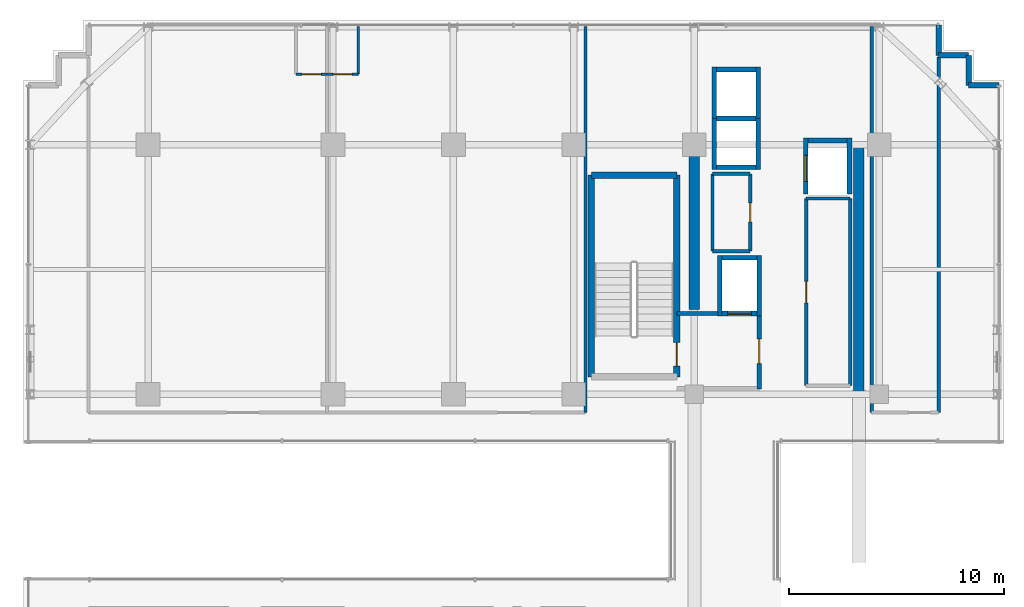
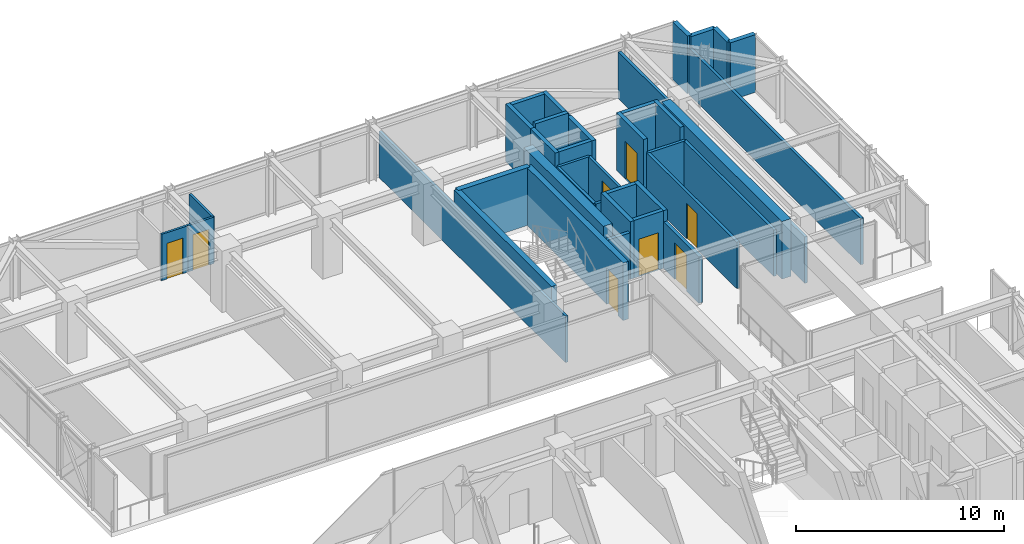
# One storey, part 31 of 36: 38 walls, 8 doors, 8 openings.
"""IFC4 building model written with IfcOpenShell, lengths in metres."""

from ifc_helpers import new_model, si_unit, direction, frame, frame_2d, origin, place, context, subcontext, project, spatial, rectangle, extrude, source, transform, mapped, material, layer, layer_set, type_object, element, fill, save


model = new_model("IFC4")

# Units and contexts
model_context = context("Model", 3, precision=1e-05, world=origin(), true_north=direction((0.0, 1.0)))
body_context = subcontext(model_context, "Body", "Model", "MODEL_VIEW")
ifc_project = project(units=[si_unit("LENGTHUNIT", "METRE"), si_unit("AREAUNIT", "SQUARE_METRE"), si_unit("VOLUMEUNIT", "CUBIC_METRE"), si_unit("PLANEANGLEUNIT", "RADIAN"), si_unit("MASSUNIT", "GRAM", prefix="KILO")], contexts=[model_context])

# Site, building, storey
site_placement = place(None, origin())
site = spatial("IfcSite", under=ifc_project, at=site_placement, CompositionType="ELEMENT")
building_placement = place(site_placement, origin())
building = spatial("IfcBuilding", under=site, at=building_placement, Name="Nahalor Promenade Grand Hotel", CompositionType="ELEMENT")
storey_placement = place(building_placement, frame((0.0, 0.0, 170.89990234375)))
storey = spatial("IfcBuildingStorey", under=building, at=storey_placement, Name="L43", CompositionType="ELEMENT", Elevation=170.89990234375)

# Walls
ifc_material_1 = material(Name="Concrete B-60 (C50/60)", Category="concrete")
ifc_layer_1 = layer(ifc_material_1, 0.5)
ifc_layer_set_1 = layer_set([ifc_layer_1], Name="Concrete B-60 (C50/60)")
wall_type_1 = type_object("IfcWallType", Name="Wall-CoreShear-500", PredefinedType="SHEAR", material=ifc_layer_set_1)
shared_shape_1 = source(origin(), body_context, "Body", "SweptSolid", [
    extrude(rectangle(XDim=7.64990234375, YDim=0.5, at=frame_2d((3.824951171875, 0.0))), origin(), (0.0, 0.0, 1.0), 3.39013671875),
])
wall_1_placement = place(storey_placement, frame((8.39990234375, 9.35009765625, 0.0), z_axis=(0.0, 0.0, 1.0), x_axis=(0.0, 1.0, 0.0)))
element("IfcWall", 1, at=wall_1_placement, inside=storey, type_object=wall_type_1, Name="CWALL-L43-NW", PredefinedType="SHEAR", context=body_context, shape_type="MappedRepresentation", body=[
    mapped(shared_shape_1, transform((0.0, 0.0, 0.0), scale=1.0)),
])
shared_shape_2 = source(origin(), body_context, "Body", "SweptSolid", [
    extrude(rectangle(XDim=11.60009765625, YDim=0.5, at=frame_2d((5.800048828125, 0.0))), origin(), (0.0, 0.0, 1.0), 3.39013671875),
])
wall_2_placement = place(storey_placement, frame((16.050048828125, 5.39990234375, 0.0), z_axis=(0.0, 0.0, 1.0), x_axis=(0.0, 1.0, 0.0)))
element("IfcWall", 2, at=wall_2_placement, inside=storey, type_object=wall_type_1, Name="CWALL-L43-NE", PredefinedType="SHEAR", context=body_context, shape_type="MappedRepresentation", body=[
    mapped(shared_shape_2, transform((0.0, 0.0, 0.0), scale=1.0)),
])
ifc_material_2 = material(Name="Concrete B-50 (C40/50)", Category="concrete")
ifc_layer_2 = layer(ifc_material_2, 0.300048828125)
ifc_layer_set_2 = layer_set([ifc_layer_2], Name="Concrete B-50 (C40/50)")
wall_type_2 = type_object("IfcWallType", Name="Wall-ShaftShear-300", PredefinedType="SHEAR", material=ifc_layer_set_2)
shared_shape_3 = source(origin(), body_context, "Body", "SweptSolid", [
    extrude(rectangle(XDim=3.97998046875, YDim=0.300048828125, at=frame_2d((1.989990234375, 0.0))), origin(), (0.0, 0.0, 1.0), 3.39013671875),
])
wall_3_placement = place(storey_placement, frame((3.610107421875, 15.590087890625, 0.0), z_axis=(0.0, 0.0, 1.0), x_axis=(1.0, 0.0, 0.0)))
element("IfcWall", 3, at=wall_3_placement, inside=storey, type_object=wall_type_2, Name="L43 Exit Stair ST1 Shaft Wall N", PredefinedType="SHEAR", context=body_context, shape_type="MappedRepresentation", body=[
    mapped(shared_shape_3, transform((0.0, 0.0, 0.0), scale=1.0)),
])
shared_shape_4 = source(origin(), body_context, "Body", "SweptSolid", [
    extrude(rectangle(XDim=9.380126953125, YDim=0.300048828125, at=frame_2d((4.68994140625, 0.0))), origin(), (0.0, 0.0, 1.0), 3.39013671875),
])
wall_4_placement = place(storey_placement, frame((3.610107421875, 6.2099609375, 0.0), z_axis=(0.0, 0.0, 1.0), x_axis=(0.0, 1.0, 0.0)))
element("IfcWall", 4, at=wall_4_placement, inside=storey, type_object=wall_type_2, Name="L43 Exit Stair ST1 Shaft Wall W", PredefinedType="SHEAR", context=body_context, shape_type="MappedRepresentation", body=[
    mapped(shared_shape_4, transform((0.0, 0.0, 0.0), scale=1.0)),
])

# Wall, opening, door
wall_5_placement = place(storey_placement, frame((7.590087890625, 6.2099609375, 0.0), z_axis=(0.0, 0.0, 1.0), x_axis=(0.0, 1.0, 0.0)))
wall_5 = element("IfcWall", 5, at=wall_5_placement, inside=storey, type_object=wall_type_2, Name="L43 Exit Stair ST1 Shaft Wall E", PredefinedType="SHEAR", context=body_context, shape_type="MappedRepresentation", body=[
    mapped(shared_shape_4, transform((0.0, 0.0, 0.0), scale=1.0)),
])
opening_1_placement = place(wall_5_placement, frame((0.489990234375, 0.0, 0.0)))
opening_1 = element("IfcOpeningElement", 6, at=opening_1_placement, cuts=wall_5, Name="Opening D-ST1", PredefinedType="OPENING", context=body_context, shape_type="SweptSolid", body=[
    extrude(rectangle(XDim=1.10009765625, YDim=2.14990234375, at=frame_2d((0.550048828125, 1.074951171875))), frame((0.0, 0.159912109375, 0.0), z_axis=(0.0, -1.0, 0.0), x_axis=(1.0, 0.0, 0.0)), (0.0, 0.0, 1.0), 0.320068359375),
])
ifc_material_3 = material(Name="Steel S355JR", Category="steel")
door_type_1 = type_object("IfcDoorType", Name="Door-StairFire-1100", OperationType="NOTDEFINED", PredefinedType="DOOR", material=ifc_material_3)
shared_shape_5 = source(origin(), body_context, "Body", "SweptSolid", [
    extrude(rectangle(XDim=1.10009765625, YDim=2.14990234375, at=frame_2d((0.550048828125, 1.074951171875))), frame((0.0, 0.02490234375, 0.0), z_axis=(0.0, -1.0, 0.0), x_axis=(1.0, 0.0, 0.0)), (0.0, 0.0, 1.0), 0.050048828125),
])
door_1_placement = place(opening_1_placement, origin())
door_1 = element("IfcDoor", 7, at=door_1_placement, inside=storey, type_object=door_type_1, Name="DR-STAIR-ST1-L43", OperationType="SINGLE_SWING_RIGHT", OverallHeight=2.14990234375, OverallWidth=1.10009765625, PredefinedType="DOOR", context=body_context, shape_type="MappedRepresentation", body=[
    mapped(shared_shape_5, transform((0.0, 0.0, 0.0), scale=1.0)),
])
fill(opening_1, door_1)

# Walls
ifc_layer_3 = layer(ifc_material_2, 0.219970703125)
ifc_layer_set_3 = layer_set([ifc_layer_3], Name="Concrete B-50 (C40/50)")
wall_type_3 = type_object("IfcWallType", Name="Wall-LiftShaft-220", PredefinedType="SHEAR", material=ifc_layer_set_3)
shared_shape_6 = source(origin(), body_context, "Body", "SweptSolid", [
    extrude(rectangle(XDim=1.820068359375, YDim=0.219970703125, at=frame_2d((0.91015625, 0.0))), origin(), (0.0, 0.0, 1.0), 3.650146484375),
])
wall_6_placement = place(storey_placement, frame((9.43994140625, 18.22509765625, 0.0), z_axis=(0.0, 0.0, 1.0), x_axis=(1.0, 0.0, 0.0)))
element("IfcWall", 8, at=wall_6_placement, inside=storey, type_object=wall_type_3, Name="L43 Lift OB1 Hoistway Wall N", PredefinedType="SHEAR", context=body_context, shape_type="MappedRepresentation", body=[
    mapped(shared_shape_6, transform((0.0, 0.0, 0.0), scale=1.0)),
])
shared_shape_7 = source(origin(), body_context, "Body", "SweptSolid", [
    extrude(rectangle(XDim=1.820068359375, YDim=0.219970703125, at=frame_2d((0.91015625, 0.0))), origin(), (0.0, 0.0, 1.0), 3.39013671875),
])
for number, where, z_axis, x_axis, name in (
    (9, (9.43994140625, 15.949951171875, 0.0), (0.0, 0.0, 1.0), (1.0, 0.0, 0.0), "L43 Lift OB1 Hoistway Wall S"),
    (10, (9.43994140625, 20.5, 0.0), (0.0, 0.0, 1.0), (1.0, 0.0, 0.0), "L43 Lift OB2 Hoistway Wall N"),
    (11, (13.68994140625, 17.199951171875, 0.0), (0.0, 0.0, 1.0), (1.0, 0.0, 0.0), "L43 Lift SV1 Hoistway Wall N"),
):
    element("IfcWall", number, at=place(storey_placement, frame(where, z_axis=z_axis, x_axis=x_axis)), inside=storey, type_object=wall_type_3, Name=name, PredefinedType="SHEAR", context=body_context, shape_type="MappedRepresentation", body=[
        mapped(shared_shape_7, transform((0.0, 0.0, 0.0), scale=1.0)),
    ])
shared_shape_8 = source(origin(), body_context, "Body", "SweptSolid", [
    extrude(rectangle(XDim=2.385009765625, YDim=0.219970703125, at=frame_2d((1.1923828125, 0.0))), origin(), (0.0, 0.0, 1.0), 3.39013671875),
])
for number, where, z_axis, x_axis, name in (
    (12, (9.330078125, 15.840087890625, 0.0), (0.0, 0.0, 1.0), (0.0, 1.0, 0.0), "L43 Lift OB1 Hoistway Wall W"),
    (13, (11.3701171875, 15.840087890625, 0.0), (0.0, 0.0, 1.0), (0.0, 1.0, 0.0), "L43 Lift OB1 Hoistway Wall E"),
    (14, (9.330078125, 18.22509765625, 0.0), (0.0, 0.0, 1.0), (0.0, 1.0, 0.0), "L43 Lift OB2 Hoistway Wall W"),
    (15, (11.3701171875, 18.22509765625, 0.0), (0.0, 0.0, 1.0), (0.0, 1.0, 0.0), "L43 Lift OB2 Hoistway Wall E"),
):
    element("IfcWall", number, at=place(storey_placement, frame(where, z_axis=z_axis, x_axis=x_axis)), inside=storey, type_object=wall_type_3, Name=name, PredefinedType="SHEAR", context=body_context, shape_type="MappedRepresentation", body=[
        mapped(shared_shape_8, transform((0.0, 0.0, 0.0), scale=1.0)),
    ])
shared_shape_9 = source(origin(), body_context, "Body", "SweptSolid", [
    extrude(rectangle(XDim=2.820068359375, YDim=0.219970703125, at=frame_2d((1.41015625, 0.0))), origin(), (0.0, 0.0, 1.0), 3.39013671875),
])
for number, where, z_axis, x_axis, name in (
    (16, (9.580078125, 9.0400390625, 0.0), (0.0, 0.0, 1.0), (0.0, 1.0, 0.0), "L43 Lift FL1 Hoistway Wall W"),
    (17, (11.419921875, 9.0400390625, 0.0), (0.0, 0.0, 1.0), (0.0, 1.0, 0.0), "L43 Lift FL1 Hoistway Wall E"),
):
    element("IfcWall", number, at=place(storey_placement, frame(where, z_axis=z_axis, x_axis=x_axis)), inside=storey, type_object=wall_type_3, Name=name, PredefinedType="SHEAR", context=body_context, shape_type="MappedRepresentation", body=[
        mapped(shared_shape_9, transform((0.0, 0.0, 0.0), scale=1.0)),
    ])

# Wall, opening, door
shared_shape_10 = source(origin(), body_context, "Body", "SweptSolid", [
    extrude(rectangle(XDim=1.6201171875, YDim=0.219970703125, at=frame_2d((0.81005859375, 0.0))), origin(), (0.0, 0.0, 1.0), 3.39013671875),
])
wall_7_placement = place(storey_placement, frame((9.68994140625, 9.14990234375, 0.0), z_axis=(0.0, 0.0, 1.0), x_axis=(1.0, 0.0, 0.0)))
wall_7 = element("IfcWall", 18, at=wall_7_placement, inside=storey, type_object=wall_type_3, Name="L43 Lift FL1 Hoistway Wall S", PredefinedType="SHEAR", context=body_context, shape_type="MappedRepresentation", body=[
    mapped(shared_shape_10, transform((0.0, 0.0, 0.0), scale=1.0)),
])
opening_2_placement = place(wall_7_placement, frame((0.260009765625, 0.0, 0.0)))
opening_2 = element("IfcOpeningElement", 19, at=opening_2_placement, cuts=wall_7, Name="Opening LD-02", PredefinedType="OPENING", context=body_context, shape_type="SweptSolid", body=[
    extrude(rectangle(XDim=1.10009765625, YDim=2.199951171875, at=frame_2d((0.550048828125, 1.10009765625))), frame((0.0, 0.119873046875, 0.0), z_axis=(0.0, -1.0, 0.0), x_axis=(1.0, 0.0, 0.0)), (0.0, 0.0, 1.0), 0.239990234375),
])
door_type_2 = type_object("IfcDoorType", Name="Door-LiftFF-1100", OperationType="DOUBLE_DOOR_SLIDING", PredefinedType="DOOR", material=ifc_material_3)
shared_shape_11 = source(origin(), body_context, "Body", "SweptSolid", [
    extrude(rectangle(XDim=1.10009765625, YDim=2.199951171875, at=frame_2d((0.550048828125, 1.10009765625))), frame((0.0, 0.02490234375, 0.0), z_axis=(0.0, -1.0, 0.0), x_axis=(1.0, 0.0, 0.0)), (0.0, 0.0, 1.0), 0.050048828125),
])
door_2_placement = place(opening_2_placement, frame((1.10009765625, 0.0, 0.0), z_axis=(0.0, 0.0, 1.0), x_axis=(-1.0, 0.0, 0.0)))
door_2 = element("IfcDoor", 20, at=door_2_placement, inside=storey, type_object=door_type_2, Name="DR-LIFT-FL1-L43", OperationType="DOUBLE_DOOR_SLIDING", OverallHeight=2.199951171875, OverallWidth=1.10009765625, PredefinedType="DOOR", context=body_context, shape_type="MappedRepresentation", body=[
    mapped(shared_shape_11, transform((0.0, 0.0, 0.0), scale=1.0)),
])
fill(opening_2, door_2)

# Wall
wall_8_placement = place(storey_placement, frame((9.68994140625, 11.75, 0.0), z_axis=(0.0, 0.0, 1.0), x_axis=(1.0, 0.0, 0.0)))
element("IfcWall", 21, at=wall_8_placement, inside=storey, type_object=wall_type_3, Name="L43 Lift FL1 Hoistway Wall N", PredefinedType="SHEAR", context=body_context, shape_type="MappedRepresentation", body=[
    mapped(shared_shape_10, transform((0.0, 0.0, 0.0), scale=1.0)),
])

# Wall, opening, door
shared_shape_12 = source(origin(), body_context, "Body", "SweptSolid", [
    extrude(rectangle(XDim=2.610107421875, YDim=0.219970703125, at=frame_2d((1.30517578125, 0.0))), origin(), (0.0, 0.0, 1.0), 3.39013671875),
])
wall_9_placement = place(storey_placement, frame((13.580078125, 14.699951171875, 0.0), z_axis=(0.0, 0.0, 1.0), x_axis=(0.0, 1.0, 0.0)))
wall_9 = element("IfcWall", 22, at=wall_9_placement, inside=storey, type_object=wall_type_3, Name="L43 Lift SV1 Hoistway Wall W", PredefinedType="SHEAR", context=body_context, shape_type="MappedRepresentation", body=[
    mapped(shared_shape_12, transform((0.0, 0.0, 0.0), scale=1.0)),
])
opening_3_placement = place(wall_9_placement, frame((0.60009765625, 0.0, 0.0)))
opening_3 = element("IfcOpeningElement", 23, at=opening_3_placement, cuts=wall_9, Name="Opening LD-03", PredefinedType="OPENING", context=body_context, shape_type="SweptSolid", body=[
    extrude(rectangle(XDim=1.199951171875, YDim=2.199951171875, at=frame_2d((0.60009765625, 1.10009765625))), frame((0.0, 0.119873046875, 0.0), z_axis=(0.0, -1.0, 0.0), x_axis=(1.0, 0.0, 0.0)), (0.0, 0.0, 1.0), 0.239990234375),
])
door_type_3 = type_object("IfcDoorType", Name="Door-LiftService-1200", OperationType="DOUBLE_DOOR_SLIDING", PredefinedType="DOOR", material=ifc_material_3)
shared_shape_13 = source(origin(), body_context, "Body", "SweptSolid", [
    extrude(rectangle(XDim=1.199951171875, YDim=2.199951171875, at=frame_2d((0.60009765625, 1.10009765625))), frame((0.0, 0.02490234375, 0.0), z_axis=(0.0, -1.0, 0.0), x_axis=(1.0, 0.0, 0.0)), (0.0, 0.0, 1.0), 0.050048828125),
])
door_3_placement = place(opening_3_placement, origin())
door_3 = element("IfcDoor", 24, at=door_3_placement, inside=storey, type_object=door_type_3, Name="DR-LIFT-SV1-L43", OperationType="DOUBLE_DOOR_SLIDING", OverallHeight=2.199951171875, OverallWidth=1.199951171875, PredefinedType="DOOR", context=body_context, shape_type="MappedRepresentation", body=[
    mapped(shared_shape_13, transform((0.0, 0.0, 0.0), scale=1.0)),
])
fill(opening_3, door_3)

# Walls
wall_10_placement = place(storey_placement, frame((15.6201171875, 14.699951171875, 0.0), z_axis=(0.0, 0.0, 1.0), x_axis=(0.0, 1.0, 0.0)))
element("IfcWall", 25, at=wall_10_placement, inside=storey, type_object=wall_type_3, Name="L43 Lift SV1 Hoistway Wall E", PredefinedType="SHEAR", context=body_context, shape_type="MappedRepresentation", body=[
    mapped(shared_shape_12, transform((0.0, 0.0, 0.0), scale=1.0)),
])
ifc_material_4 = material(Name="Concrete B-40 (C32/40)", Category="concrete")
ifc_layer_4 = layer(ifc_material_4, 0.25)
ifc_layer_set_4 = layer_set([ifc_layer_4], Name="Concrete B-40 (C32/40)")
wall_type_4 = type_object("IfcWallType", Name="Wall-BronzePier-250", PredefinedType="STANDARD", material=ifc_layer_set_4)
shared_shape_14 = source(origin(), body_context, "Body", "SweptSolid", [
    extrude(rectangle(XDim=1.400146484375, YDim=0.25, at=frame_2d((0.7001953125, 0.0))), origin(), (0.0, 0.0, 1.0), 3.39013671875),
])
for number, where, z_axis, x_axis, name in (
    (26, (21.159912109375, 19.760009765625, 0.0), (0.0, 0.0, 1.0), (1.0, 0.0, 0.0), "W-L43-SR-05"),
    (27, (19.760009765625, 21.159912109375, 0.0), (0.0, 0.0, 1.0), (0.0, 1.0, 0.0), "W-L43-SR-08"),
):
    element("IfcWall", number, at=place(storey_placement, frame(where, z_axis=z_axis, x_axis=x_axis)), inside=storey, type_object=wall_type_4, Name=name, PredefinedType="STANDARD", context=body_context, shape_type="MappedRepresentation", body=[
        mapped(shared_shape_14, transform((0.0, 0.0, 0.0), scale=1.0)),
    ])
shared_shape_15 = source(origin(), body_context, "Body", "SweptSolid", [
    extrude(rectangle(XDim=1.39990234375, YDim=0.25, at=frame_2d((0.699951171875, 0.0))), origin(), (0.0, 0.0, 1.0), 3.39013671875),
])
for number, where, z_axis, x_axis, name in (
    (28, (21.159912109375, 19.760009765625, 0.0), (0.0, 0.0, 1.0), (0.0, 1.0, 0.0), "W-L43-SR-06"),
    (29, (19.760009765625, 21.159912109375, 0.0), (0.0, 0.0, 1.0), (1.0, 0.0, 0.0), "W-L43-SR-07"),
):
    element("IfcWall", number, at=place(storey_placement, frame(where, z_axis=z_axis, x_axis=x_axis)), inside=storey, type_object=wall_type_4, Name=name, PredefinedType="STANDARD", context=body_context, shape_type="MappedRepresentation", body=[
        mapped(shared_shape_15, transform((0.0, 0.0, 0.0), scale=1.0)),
    ])
ifc_layer_5 = layer(ifc_material_4, 0.199951171875)
ifc_layer_set_5 = layer_set([ifc_layer_5], Name="Concrete B-40 (C32/40)")
wall_type_5 = type_object("IfcWallType", Name="Wall-PartFire-200", PredefinedType="PARTITIONING", material=ifc_layer_set_5)
shared_shape_16 = source(origin(), body_context, "Body", "SweptSolid", [
    extrude(rectangle(XDim=1.89990234375, YDim=0.199951171875, at=frame_2d((0.949951171875, 0.0))), origin(), (0.0, 0.0, 1.0), 2.72998046875),
])
wall_11_placement = place(storey_placement, frame((7.60009765625, 9.14990234375, 0.0), z_axis=(0.0, 0.0, 1.0), x_axis=(1.0, 0.0, 0.0)))
element("IfcWall", 30, at=wall_11_placement, inside=storey, type_object=wall_type_5, Name="W-L43-FF1-N", PredefinedType="PARTITIONING", context=body_context, shape_type="MappedRepresentation", body=[
    mapped(shared_shape_16, transform((0.0, 0.0, 0.0), scale=1.0)),
])

# Wall, opening, door
shared_shape_17 = source(origin(), body_context, "Body", "SweptSolid", [
    extrude(rectangle(XDim=3.5, YDim=0.199951171875, at=frame_2d((1.75, 0.0))), origin(), (0.0, 0.0, 1.0), 2.72998046875),
])
wall_12_placement = place(storey_placement, frame((11.419921875, 5.64990234375, 0.0), z_axis=(0.0, 0.0, 1.0), x_axis=(0.0, 1.0, 0.0)))
wall_12 = element("IfcWall", 31, at=wall_12_placement, inside=storey, type_object=wall_type_5, Name="W-L43-FF1-E", PredefinedType="PARTITIONING", context=body_context, shape_type="MappedRepresentation", body=[
    mapped(shared_shape_17, transform((0.0, 0.0, 0.0), scale=1.0)),
])
opening_4_placement = place(wall_12_placement, frame((1.175048828125, 0.0, 0.0)))
opening_4 = element("IfcOpeningElement", 32, at=opening_4_placement, cuts=wall_12, Name="Opening D-FF1", PredefinedType="OPENING", context=body_context, shape_type="SweptSolid", body=[
    extrude(rectangle(XDim=1.14990234375, YDim=2.14990234375, at=frame_2d((0.574951171875, 1.074951171875))), frame((0.0, 0.10986328125, 0.0), z_axis=(0.0, -1.0, 0.0), x_axis=(1.0, 0.0, 0.0)), (0.0, 0.0, 1.0), 0.219970703125),
])
door_type_4 = type_object("IfcDoorType", Name="Door-FFLobby-1150", OperationType="NOTDEFINED", PredefinedType="DOOR", material=ifc_material_3)
shared_shape_18 = source(origin(), body_context, "Body", "SweptSolid", [
    extrude(rectangle(XDim=1.14990234375, YDim=2.14990234375, at=frame_2d((0.574951171875, 1.074951171875))), frame((0.0, 0.02490234375, 0.0), z_axis=(0.0, -1.0, 0.0), x_axis=(1.0, 0.0, 0.0)), (0.0, 0.0, 1.0), 0.050048828125),
])
door_4_placement = place(opening_4_placement, frame((1.14990234375, 0.0, 0.0), z_axis=(0.0, 0.0, 1.0), x_axis=(-1.0, 0.0, 0.0)))
door_4 = element("IfcDoor", 33, at=door_4_placement, inside=storey, type_object=door_type_4, Name="DR-L43-FFL1", OperationType="SINGLE_SWING_RIGHT", OverallHeight=2.14990234375, OverallWidth=1.14990234375, PredefinedType="DOOR", context=body_context, shape_type="MappedRepresentation", body=[
    mapped(shared_shape_18, transform((0.0, 0.0, 0.0), scale=1.0)),
])
fill(opening_4, door_4)

# Walls
ifc_material_5 = material(Name="Acoustic Mineral Gypsum", Category="gypsum")
ifc_layer_6 = layer(ifc_material_5, 0.14990234375)
ifc_layer_set_6 = layer_set([ifc_layer_6], Name="Acoustic Mineral Gypsum")
wall_type_6 = type_object("IfcWallType", Name="Wall-PartService-150", PredefinedType="PARTITIONING", material=ifc_layer_set_6)
shared_shape_19 = source(origin(), body_context, "Body", "SweptSolid", [
    extrude(rectangle(XDim=1.75, YDim=0.14990234375, at=frame_2d((0.875, 0.0))), origin(), (0.0, 0.0, 1.0), 2.72998046875),
])
for number, where, z_axis, x_axis, name in (
    (34, (9.25, 12.050048828125, 0.0), (0.0, 0.0, 1.0), (1.0, 0.0, 0.0), "W-L43-CK1A-S"),
    (35, (9.25, 15.64990234375, 0.0), (0.0, 0.0, 1.0), (1.0, 0.0, 0.0), "W-L43-CK1A-N"),
):
    element("IfcWall", number, at=place(storey_placement, frame(where, z_axis=z_axis, x_axis=x_axis)), inside=storey, type_object=wall_type_6, Name=name, PredefinedType="PARTITIONING", context=body_context, shape_type="MappedRepresentation", body=[
        mapped(shared_shape_19, transform((0.0, 0.0, 0.0), scale=1.0)),
    ])
shared_shape_20 = source(origin(), body_context, "Body", "SweptSolid", [
    extrude(rectangle(XDim=3.599853515625, YDim=0.14990234375, at=frame_2d((1.7998046875, 0.0))), origin(), (0.0, 0.0, 1.0), 2.72998046875),
])
wall_13_placement = place(storey_placement, frame((9.25, 12.050048828125, 0.0), z_axis=(0.0, 0.0, 1.0), x_axis=(0.0, 1.0, 0.0)))
element("IfcWall", 36, at=wall_13_placement, inside=storey, type_object=wall_type_6, Name="W-L43-CK1A-W", PredefinedType="PARTITIONING", context=body_context, shape_type="MappedRepresentation", body=[
    mapped(shared_shape_20, transform((0.0, 0.0, 0.0), scale=1.0)),
])

# Wall, opening, door
wall_14_placement = place(storey_placement, frame((11.0, 12.050048828125, 0.0), z_axis=(0.0, 0.0, 1.0), x_axis=(0.0, 1.0, 0.0)))
wall_14 = element("IfcWall", 37, at=wall_14_placement, inside=storey, type_object=wall_type_6, Name="W-L43-CK1A-E", PredefinedType="PARTITIONING", context=body_context, shape_type="MappedRepresentation", body=[
    mapped(shared_shape_20, transform((0.0, 0.0, 0.0), scale=1.0)),
])
opening_5_placement = place(wall_14_placement, frame((1.360107421875, 0.0, 0.0)))
opening_5 = element("IfcOpeningElement", 38, at=opening_5_placement, cuts=wall_14, Name="Opening D-03", PredefinedType="OPENING", context=body_context, shape_type="SweptSolid", body=[
    extrude(rectangle(XDim=0.8798828125, YDim=2.10009765625, at=frame_2d((0.43994140625, 1.050048828125))), frame((0.0, 0.0849609375, 0.0), z_axis=(0.0, -1.0, 0.0), x_axis=(1.0, 0.0, 0.0)), (0.0, 0.0, 1.0), 0.169921875),
])
ifc_material_6 = material(Name="Fire-Rated Timber Composite", Category="wood")
door_type_5 = type_object("IfcDoorType", Name="Door-BathSwing-880", OperationType="NOTDEFINED", PredefinedType="DOOR", material=ifc_material_6)
shared_shape_21 = source(origin(), body_context, "Body", "SweptSolid", [
    extrude(rectangle(XDim=0.8798828125, YDim=2.10009765625, at=frame_2d((0.43994140625, 1.050048828125))), frame((0.0, 0.02490234375, 0.0), z_axis=(0.0, -1.0, 0.0), x_axis=(1.0, 0.0, 0.0)), (0.0, 0.0, 1.0), 0.050048828125),
])
door_5_placement = place(opening_5_placement, origin())
door_5 = element("IfcDoor", 39, at=door_5_placement, inside=storey, type_object=door_type_5, Name="DR-L43-CK1A", OperationType="SINGLE_SWING_RIGHT", OverallHeight=2.10009765625, OverallWidth=0.8798828125, PredefinedType="DOOR", context=body_context, shape_type="MappedRepresentation", body=[
    mapped(shared_shape_21, transform((0.0, 0.0, 0.0), scale=1.0)),
])
fill(opening_5, door_5)

# Wall
ifc_layer_7 = layer(ifc_material_5, 0.159912109375)
ifc_layer_set_7 = layer_set([ifc_layer_7], Name="Acoustic Mineral Gypsum")
wall_type_7 = type_object("IfcWallType", Name="Wall-PartCorridor-160", PredefinedType="PARTITIONING", material=ifc_layer_set_7)
shared_shape_22 = source(origin(), body_context, "Body", "SweptSolid", [
    extrude(rectangle(XDim=2.0498046875, YDim=0.159912109375, at=frame_2d((1.02490234375, 0.0))), origin(), (0.0, 0.0, 1.0), 2.72998046875),
])
wall_15_placement = place(storey_placement, frame((13.60009765625, 14.5, 0.0), z_axis=(0.0, 0.0, 1.0), x_axis=(1.0, 0.0, 0.0)))
element("IfcWall", 40, at=wall_15_placement, inside=storey, type_object=wall_type_7, Name="W-L43-FRB1-N", PredefinedType="PARTITIONING", context=body_context, shape_type="MappedRepresentation", body=[
    mapped(shared_shape_22, transform((0.0, 0.0, 0.0), scale=1.0)),
])

# Wall, opening, door
shared_shape_23 = source(origin(), body_context, "Body", "SweptSolid", [
    extrude(rectangle(XDim=8.699951171875, YDim=0.159912109375, at=frame_2d((4.35009765625, 0.0))), origin(), (0.0, 0.0, 1.0), 2.72998046875),
])
wall_16_placement = place(storey_placement, frame((13.60009765625, 5.800048828125, 0.0), z_axis=(0.0, 0.0, 1.0), x_axis=(0.0, 1.0, 0.0)))
wall_16 = element("IfcWall", 41, at=wall_16_placement, inside=storey, type_object=wall_type_7, Name="W-L43-FRB1-W", PredefinedType="PARTITIONING", context=body_context, shape_type="MappedRepresentation", body=[
    mapped(shared_shape_23, transform((0.0, 0.0, 0.0), scale=1.0)),
])
opening_6_placement = place(wall_16_placement, frame((3.85009765625, 0.0, 0.0)))
opening_6 = element("IfcOpeningElement", 42, at=opening_6_placement, cuts=wall_16, Name="Opening D-04", PredefinedType="OPENING", context=body_context, shape_type="SweptSolid", body=[
    extrude(rectangle(XDim=1.0, YDim=2.10009765625, at=frame_2d((0.5, 1.050048828125))), frame((0.0, 0.08984375, 0.0), z_axis=(0.0, -1.0, 0.0), x_axis=(1.0, 0.0, 0.0)), (0.0, 0.0, 1.0), 0.179931640625),
])
door_type_6 = type_object("IfcDoorType", Name="Door-ServiceFire-1000", OperationType="NOTDEFINED", PredefinedType="DOOR", material=ifc_material_3)
shared_shape_24 = source(origin(), body_context, "Body", "SweptSolid", [
    extrude(rectangle(XDim=1.0, YDim=2.10009765625, at=frame_2d((0.5, 1.050048828125))), frame((0.0, 0.02490234375, 0.0), z_axis=(0.0, -1.0, 0.0), x_axis=(1.0, 0.0, 0.0)), (0.0, 0.0, 1.0), 0.050048828125),
])
door_6_placement = place(opening_6_placement, frame((1.0, 0.0, 0.0), z_axis=(0.0, 0.0, 1.0), x_axis=(-1.0, 0.0, 0.0)))
door_6 = element("IfcDoor", 43, at=door_6_placement, inside=storey, type_object=door_type_6, Name="DR-L43-FRB1", OperationType="SINGLE_SWING_LEFT", OverallHeight=2.10009765625, OverallWidth=1.0, PredefinedType="DOOR", context=body_context, shape_type="MappedRepresentation", body=[
    mapped(shared_shape_24, transform((0.0, 0.0, 0.0), scale=1.0)),
])
fill(opening_6, door_6)

# Walls
wall_17_placement = place(storey_placement, frame((15.64990234375, 5.800048828125, 0.0), z_axis=(0.0, 0.0, 1.0), x_axis=(0.0, 1.0, 0.0)))
element("IfcWall", 44, at=wall_17_placement, inside=storey, type_object=wall_type_7, Name="W-L43-FRB1-E", PredefinedType="PARTITIONING", context=body_context, shape_type="MappedRepresentation", body=[
    mapped(shared_shape_23, transform((0.0, 0.0, 0.0), scale=1.0)),
])
shared_shape_25 = source(origin(), body_context, "Body", "SweptSolid", [
    extrude(rectangle(XDim=17.949951171875, YDim=0.159912109375, at=frame_2d((8.97509765625, 0.0))), origin(), (0.0, 0.0, 1.0), 2.72998046875),
])
wall_18_placement = place(storey_placement, frame((16.64990234375, 4.550048828125, 0.0), z_axis=(0.0, 0.0, 1.0), x_axis=(0.0, 1.0, 0.0)))
element("IfcWall", 45, at=wall_18_placement, inside=storey, type_object=wall_type_7, Name="W-L43-ENE-W", PredefinedType="PARTITIONING", context=body_context, shape_type="MappedRepresentation", body=[
    mapped(shared_shape_25, transform((0.0, 0.0, 0.0), scale=1.0)),
])
shared_shape_26 = source(origin(), body_context, "Body", "SweptSolid", [
    extrude(rectangle(XDim=16.530029296875, YDim=0.159912109375, at=frame_2d((8.26513671875, 0.0))), origin(), (0.0, 0.0, 1.0), 2.72998046875),
])
wall_19_placement = place(storey_placement, frame((19.760009765625, 4.550048828125, 0.0), z_axis=(0.0, 0.0, 1.0), x_axis=(0.0, 1.0, 0.0)))
element("IfcWall", 46, at=wall_19_placement, inside=storey, type_object=wall_type_7, Name="W-L43-ENE-E", PredefinedType="PARTITIONING", context=body_context, shape_type="MappedRepresentation", body=[
    mapped(shared_shape_26, transform((0.0, 0.0, 0.0), scale=1.0)),
])

# Wall, opening, door
ifc_layer_8 = layer(ifc_material_5, 0.1201171875)
ifc_layer_set_8 = layer_set([ifc_layer_8], Name="Acoustic Mineral Gypsum")
wall_type_8 = type_object("IfcWallType", Name="Wall-PartBath-120", PredefinedType="PARTITIONING", material=ifc_layer_set_8)
shared_shape_27 = source(origin(), body_context, "Body", "SweptSolid", [
    extrude(rectangle(XDim=1.449951171875, YDim=0.1201171875, at=frame_2d((0.72509765625, 0.0))), origin(), (0.0, 0.0, 1.0), 2.72998046875),
])
wall_20_placement = place(storey_placement, frame((-10.1220703125, 20.280029296875, 0.0), z_axis=(0.0, 0.0, 1.0), x_axis=(1.0, 0.0, 0.0)))
wall_20 = element("IfcWall", 47, at=wall_20_placement, inside=storey, type_object=wall_type_8, Name="W-L43-N1-BH", PredefinedType="PARTITIONING", context=body_context, shape_type="MappedRepresentation", body=[
    mapped(shared_shape_27, transform((0.0, 0.0, 0.0), scale=1.0)),
])
opening_7_placement = place(wall_20_placement, frame((0.284912109375, 0.0, 0.0)))
opening_7 = element("IfcOpeningElement", 48, at=opening_7_placement, cuts=wall_20, Name="Opening D-03", PredefinedType="OPENING", context=body_context, shape_type="SweptSolid", body=[
    extrude(rectangle(XDim=0.8798828125, YDim=2.10009765625, at=frame_2d((0.43994140625, 1.050048828125))), frame((0.0, 0.070068359375, 0.0), z_axis=(0.0, -1.0, 0.0), x_axis=(1.0, 0.0, 0.0)), (0.0, 0.0, 1.0), 0.14013671875),
])
door_7_placement = place(opening_7_placement, origin())
door_7 = element("IfcDoor", 49, at=door_7_placement, inside=storey, type_object=door_type_5, Name="DR-L43-N1-BATH", OperationType="SINGLE_SWING_RIGHT", OverallHeight=2.10009765625, OverallWidth=0.8798828125, PredefinedType="DOOR", context=body_context, shape_type="MappedRepresentation", body=[
    mapped(shared_shape_21, transform((0.0, 0.0, 0.0), scale=1.0)),
])
fill(opening_7, door_7)

# Walls
shared_shape_28 = source(origin(), body_context, "Body", "SweptSolid", [
    extrude(rectangle(XDim=2.219970703125, YDim=0.1201171875, at=frame_2d((1.10986328125, 0.0))), origin(), (0.0, 0.0, 1.0), 2.72998046875),
])
wall_21_placement = place(storey_placement, frame((-7.221923828125, 20.280029296875, 0.0), z_axis=(0.0, 0.0, 1.0), x_axis=(0.0, 1.0, 0.0)))
element("IfcWall", 50, at=wall_21_placement, inside=storey, type_object=wall_type_8, Name="W-L43-N2-BV", PredefinedType="PARTITIONING", context=body_context, shape_type="MappedRepresentation", body=[
    mapped(shared_shape_28, transform((0.0, 0.0, 0.0), scale=1.0)),
])
ifc_layer_9 = layer(ifc_material_5, 0.139892578125)
ifc_layer_set_9 = layer_set([ifc_layer_9], Name="Acoustic Mineral Gypsum")
wall_type_9 = type_object("IfcWallType", Name="Wall-PartSuite-140", PredefinedType="PARTITIONING", material=ifc_layer_set_9)
shared_shape_29 = source(origin(), body_context, "Body", "SweptSolid", [
    extrude(rectangle(XDim=17.949951171875, YDim=0.139892578125, at=frame_2d((8.97509765625, 0.0))), origin(), (0.0, 0.0, 1.0), 2.72998046875),
])
wall_22_placement = place(storey_placement, frame((3.340087890625, 4.550048828125, 0.0), z_axis=(0.0, 0.0, 1.0), x_axis=(0.0, 1.0, 0.0)))
element("IfcWall", 51, at=wall_22_placement, inside=storey, type_object=wall_type_9, Name="W-L43-NW-ENDE", PredefinedType="PARTITIONING", context=body_context, shape_type="MappedRepresentation", body=[
    mapped(shared_shape_29, transform((0.0, 0.0, 0.0), scale=1.0)),
])

# Wall, opening, door
shared_shape_30 = source(origin(), body_context, "Body", "SweptSolid", [
    extrude(rectangle(XDim=1.4501953125, YDim=0.1201171875, at=frame_2d((0.72509765625, 0.0))), origin(), (0.0, 0.0, 1.0), 2.72998046875),
])
wall_23_placement = place(storey_placement, frame((-8.672119140625, 20.280029296875, 0.0), z_axis=(0.0, 0.0, 1.0), x_axis=(1.0, 0.0, 0.0)))
wall_23 = element("IfcWall", 52, at=wall_23_placement, inside=storey, type_object=wall_type_8, Name="W-L43-N2-BH", PredefinedType="PARTITIONING", context=body_context, shape_type="MappedRepresentation", body=[
    mapped(shared_shape_30, transform((0.0, 0.0, 0.0), scale=1.0)),
])
opening_8_placement = place(wall_23_placement, frame((0.284912109375, 0.0, 0.0)))
opening_8 = element("IfcOpeningElement", 53, at=opening_8_placement, cuts=wall_23, Name="Opening D-03", PredefinedType="OPENING", context=body_context, shape_type="SweptSolid", body=[
    extrude(rectangle(XDim=0.8798828125, YDim=2.10009765625, at=frame_2d((0.43994140625, 1.050048828125))), frame((0.0, 0.070068359375, 0.0), z_axis=(0.0, -1.0, 0.0), x_axis=(1.0, 0.0, 0.0)), (0.0, 0.0, 1.0), 0.14013671875),
])
door_8_placement = place(opening_8_placement, origin())
door_8 = element("IfcDoor", 54, at=door_8_placement, inside=storey, type_object=door_type_5, Name="DR-L43-N2-BATH", OperationType="SINGLE_SWING_LEFT", OverallHeight=2.10009765625, OverallWidth=0.8798828125, PredefinedType="DOOR", context=body_context, shape_type="MappedRepresentation", body=[
    mapped(shared_shape_21, transform((0.0, 0.0, 0.0), scale=1.0)),
])
fill(opening_8, door_8)

save(model, "model.ifc")
